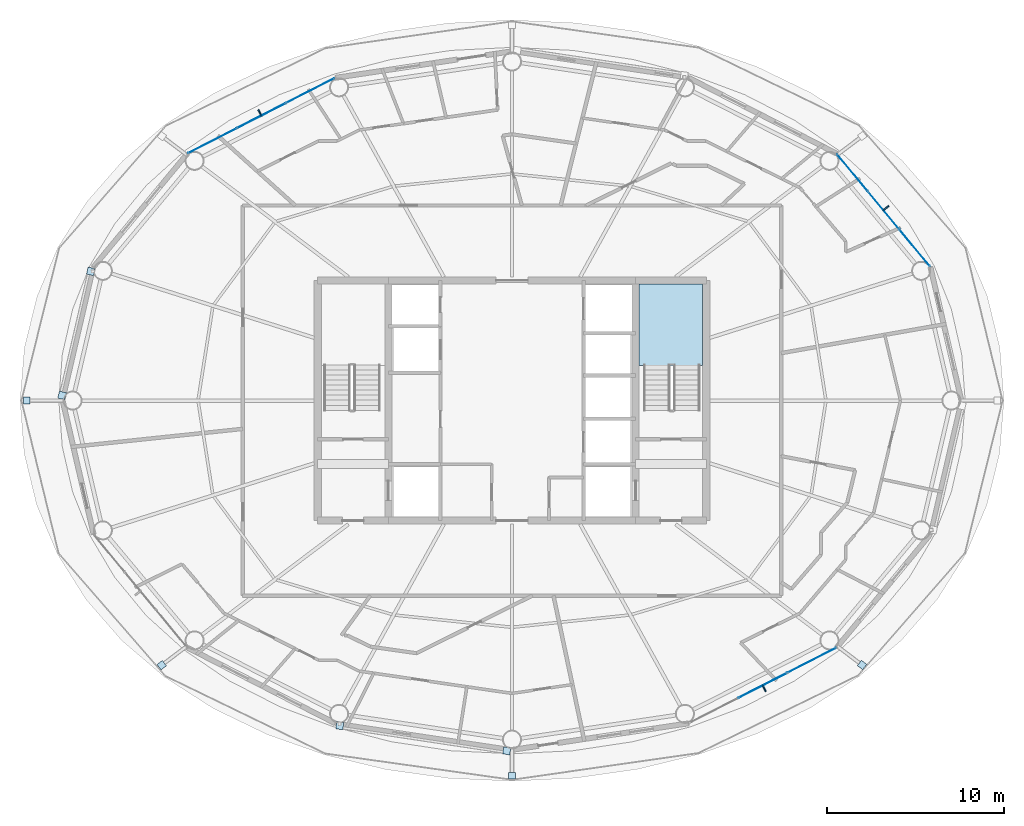
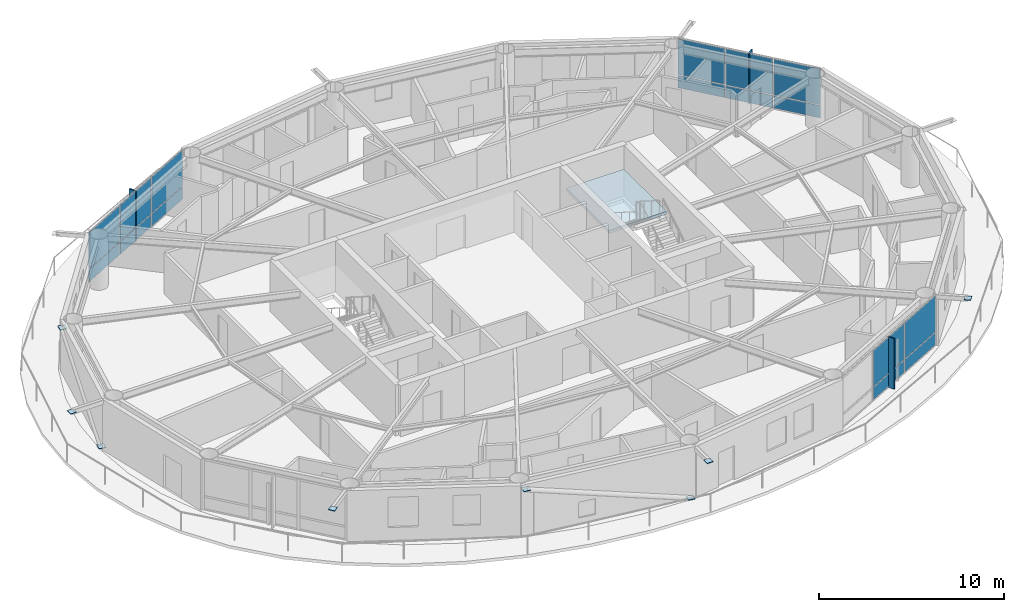
# One storey, part 14 of 23: 27 plates, 1 slab, 4 elements without a shape of their own.
"""IFC4 building model written with IfcOpenShell, lengths in metres."""

from ifc_helpers import new_model, si_unit, direction, frame, origin, origin_2d, place, context, subcontext, project, spatial, polyline, rectangle, outline, extrude, material, layer, layer_set, type_object, element, aggregate, save


model = new_model("IFC4")

# Units and contexts
model_context = context("Model", 3, precision=1e-05, world=origin(), true_north=direction((0.0, 1.0)))
body_context = subcontext(model_context, "Body", "Model", "MODEL_VIEW")
ifc_project = project(units=[si_unit("LENGTHUNIT", "METRE"), si_unit("AREAUNIT", "SQUARE_METRE"), si_unit("VOLUMEUNIT", "CUBIC_METRE"), si_unit("PLANEANGLEUNIT", "RADIAN"), si_unit("MASSUNIT", "GRAM", prefix="KILO")], contexts=[model_context])

# Site, building, storey
site_placement = place(None, origin())
site = spatial("IfcSite", under=ifc_project, at=site_placement, CompositionType="ELEMENT")
building_placement = place(site_placement, origin())
building = spatial("IfcBuilding", under=site, at=building_placement, Name="Sarneth Arch Tower", CompositionType="ELEMENT")
storey_placement = place(building_placement, frame((0.0, 0.0, 246.0)))
storey = spatial("IfcBuildingStorey", under=building, at=storey_placement, Name="L63", CompositionType="ELEMENT", Elevation=246.0)

# Curtain wall, plates
ifc_material_1 = material(Name="Anodised aluminium Type AA25 and solar-control low-e laminated IGU", Category="aluminium")
ifc_layer_1 = layer(ifc_material_1, 0.179931640625)
ifc_layer_set_1 = layer_set([ifc_layer_1], Name="Anodised aluminium Type AA25 and solar-control low-e laminated IGU")
curtain_wall_type = type_object("IfcCurtainWallType", Name="CW-RES-HIGH", PredefinedType="NOTDEFINED", material=ifc_layer_set_1)
curtain_wall_1_placement = place(storey_placement, origin())
curtain_wall_1 = element("IfcCurtainWall", 1, at=curtain_wall_1_placement, inside=storey, type_object=curtain_wall_type, Name="L63 Unitised curtain wall facet 02", PredefinedType="NOTDEFINED")
ifc_material_2 = material(Name="Solar-control low-e laminated IGU", Category="glass")
ifc_layer_2 = layer(ifc_material_2, 0.028076171875)
ifc_layer_set_2 = layer_set([ifc_layer_2], Name="Solar-control low-e laminated IGU")
plate_type_1 = type_object("IfcPlateType", Name="CW-PANEL", PredefinedType="CURTAIN_PANEL", material=ifc_layer_set_2)
plate_1_placement = place(storey_placement, frame((70.799072265625, 50.650634765625, 0.06005859375), z_axis=(0.0, 0.0, 1.0), x_axis=(-0.637610094184, 0.770359245933, 0.0)))
plate_1 = element("IfcPlate", 2, at=plate_1_placement, type_object=plate_type_1, Name="Curtain wall glazed vision pane CW-L63-F02/P00-00", PredefinedType="CURTAIN_PANEL", context=body_context, shape_type="SweptSolid", body=[
    extrude(rectangle(XDim=2.686767578125, YDim=0.028076171875, at=origin_2d()), origin(), (0.0, 0.0, 1.0), 0.81005859375),
])
plate_2_placement = place(storey_placement, frame((70.799072265625, 50.650634765625, 0.929931640625), z_axis=(0.0, 0.0, 1.0), x_axis=(-0.637610094184, 0.770359245933, 0.0)))
plate_2 = element("IfcPlate", 3, at=plate_2_placement, type_object=plate_type_1, Name="Curtain wall glazed vision pane CW-L63-F02/P00-01", PredefinedType="CURTAIN_PANEL", context=body_context, shape_type="SweptSolid", body=[
    extrude(rectangle(XDim=2.686767578125, YDim=0.028076171875, at=origin_2d()), origin(), (0.0, 0.0, 1.0), 2.3701171875),
])
plate_3_placement = place(storey_placement, frame((69.0380859375, 52.778076171875, 0.06005859375), z_axis=(0.0, 0.0, 1.0), x_axis=(-0.637610094184, 0.770359245933, 0.0)))
plate_3 = element("IfcPlate", 4, at=plate_3_placement, type_object=plate_type_1, Name="Curtain wall glazed vision pane CW-L63-F02/P01-00", PredefinedType="CURTAIN_PANEL", context=body_context, shape_type="SweptSolid", body=[
    extrude(rectangle(XDim=2.716552734375, YDim=0.028076171875, at=origin_2d()), origin(), (0.0, 0.0, 1.0), 0.81005859375),
])
plate_4_placement = place(storey_placement, frame((69.0380859375, 52.778076171875, 0.929931640625), z_axis=(0.0, 0.0, 1.0), x_axis=(-0.637610094184, 0.770359245933, 0.0)))
plate_4 = element("IfcPlate", 5, at=plate_4_placement, type_object=plate_type_1, Name="Curtain wall glazed vision pane CW-L63-F02/P01-01", PredefinedType="CURTAIN_PANEL", context=body_context, shape_type="SweptSolid", body=[
    extrude(rectangle(XDim=2.716552734375, YDim=0.028076171875, at=origin_2d()), origin(), (0.0, 0.0, 1.0), 2.3701171875),
])
plate_5_placement = place(storey_placement, frame((67.27734375, 54.905517578125, 0.06005859375), z_axis=(0.0, 0.0, 1.0), x_axis=(-0.637610094184, 0.770359245933, 0.0)))
plate_5 = element("IfcPlate", 6, at=plate_5_placement, type_object=plate_type_1, Name="Curtain wall glazed vision pane CW-L63-F02/P02-00", PredefinedType="CURTAIN_PANEL", context=body_context, shape_type="SweptSolid", body=[
    extrude(rectangle(XDim=2.686767578125, YDim=0.028076171875, at=origin_2d()), origin(), (0.0, 0.0, 1.0), 0.81005859375),
])
plate_6_placement = place(storey_placement, frame((67.27734375, 54.905517578125, 0.929931640625), z_axis=(0.0, 0.0, 1.0), x_axis=(-0.637610094184, 0.770359245933, 0.0)))
plate_6 = element("IfcPlate", 7, at=plate_6_placement, type_object=plate_type_1, Name="Curtain wall glazed vision pane CW-L63-F02/P02-01", PredefinedType="CURTAIN_PANEL", context=body_context, shape_type="SweptSolid", body=[
    extrude(rectangle(XDim=2.686767578125, YDim=0.028076171875, at=origin_2d()), origin(), (0.0, 0.0, 1.0), 2.3701171875),
])
aggregate(curtain_wall_1, [plate_1, plate_2, plate_3, plate_4, plate_5, plate_6])

curtain_wall_2_placement = place(storey_placement, origin())
curtain_wall_2 = element("IfcCurtainWall", 8, at=curtain_wall_2_placement, inside=storey, type_object=curtain_wall_type, Name="L63 Unitised curtain wall facet 06", PredefinedType="NOTDEFINED")
plate_7_placement = place(storey_placement, frame((36.5791015625, 59.552978515625, 0.06005859375), z_axis=(0.0, 0.0, 1.0), x_axis=(-0.890009540525, -0.455941901753, 0.0)))
plate_7 = element("IfcPlate", 9, at=plate_7_placement, type_object=plate_type_1, Name="Curtain wall glazed vision pane CW-L63-F06/P00-00", PredefinedType="CURTAIN_PANEL", context=body_context, shape_type="SweptSolid", body=[
    extrude(rectangle(XDim=3.044677734375, YDim=0.028076171875, at=origin_2d()), origin(), (0.0, 0.0, 1.0), 0.81005859375),
])
plate_8_placement = place(storey_placement, frame((36.5791015625, 59.552978515625, 0.929931640625), z_axis=(0.0, 0.0, 1.0), x_axis=(-0.890009540525, -0.455941901753, 0.0)))
plate_8 = element("IfcPlate", 10, at=plate_8_placement, type_object=plate_type_1, Name="Curtain wall glazed vision pane CW-L63-F06/P00-01", PredefinedType="CURTAIN_PANEL", context=body_context, shape_type="SweptSolid", body=[
    extrude(rectangle(XDim=3.044677734375, YDim=0.028076171875, at=origin_2d()), origin(), (0.0, 0.0, 1.0), 2.3701171875),
])
plate_9_placement = place(storey_placement, frame((33.802490234375, 58.13037109375, 0.06005859375), z_axis=(0.0, 0.0, 1.0), x_axis=(-0.890009540525, -0.455941901753, 0.0)))
plate_9 = element("IfcPlate", 11, at=plate_9_placement, type_object=plate_type_1, Name="Curtain wall glazed vision pane CW-L63-F06/P01-00", PredefinedType="CURTAIN_PANEL", context=body_context, shape_type="SweptSolid", body=[
    extrude(rectangle(XDim=3.07470703125, YDim=0.028076171875, at=origin_2d()), origin(), (0.0, 0.0, 1.0), 0.81005859375),
])
plate_10_placement = place(storey_placement, frame((33.802490234375, 58.13037109375, 0.929931640625), z_axis=(0.0, 0.0, 1.0), x_axis=(-0.890009540525, -0.455941901753, 0.0)))
plate_10 = element("IfcPlate", 12, at=plate_10_placement, type_object=plate_type_1, Name="Curtain wall glazed vision pane CW-L63-F06/P01-01", PredefinedType="CURTAIN_PANEL", context=body_context, shape_type="SweptSolid", body=[
    extrude(rectangle(XDim=3.07470703125, YDim=0.028076171875, at=origin_2d()), origin(), (0.0, 0.0, 1.0), 2.3701171875),
])
plate_11_placement = place(storey_placement, frame((31.02587890625, 56.7080078125, 0.06005859375), z_axis=(0.0, 0.0, 1.0), x_axis=(-0.890009540525, -0.455941901753, 0.0)))
plate_11 = element("IfcPlate", 13, at=plate_11_placement, type_object=plate_type_1, Name="Curtain wall glazed vision pane CW-L63-F06/P02-00", PredefinedType="CURTAIN_PANEL", context=body_context, shape_type="SweptSolid", body=[
    extrude(rectangle(XDim=3.044677734375, YDim=0.028076171875, at=origin_2d()), origin(), (0.0, 0.0, 1.0), 0.81005859375),
])
plate_12_placement = place(storey_placement, frame((31.02587890625, 56.7080078125, 0.929931640625), z_axis=(0.0, 0.0, 1.0), x_axis=(-0.890009540525, -0.455941901753, 0.0)))
plate_12 = element("IfcPlate", 14, at=plate_12_placement, type_object=plate_type_1, Name="Curtain wall glazed vision pane CW-L63-F06/P02-01", PredefinedType="CURTAIN_PANEL", context=body_context, shape_type="SweptSolid", body=[
    extrude(rectangle(XDim=3.044677734375, YDim=0.028076171875, at=origin_2d()), origin(), (0.0, 0.0, 1.0), 2.3701171875),
])
aggregate(curtain_wall_2, [plate_7, plate_8, plate_9, plate_10, plate_11, plate_12])

curtain_wall_3_placement = place(storey_placement, origin())
curtain_wall_3 = element("IfcCurtainWall", 15, at=curtain_wall_3_placement, inside=storey, type_object=curtain_wall_type, Name="L63 Unitised curtain wall facet 14", PredefinedType="NOTDEFINED")
plate_13_placement = place(storey_placement, frame((62.197509765625, 25.86962890625, 0.06005859375), z_axis=(0.0, 0.0, 1.0), x_axis=(0.890009540525, 0.455941901753, 0.0)))
plate_13 = element("IfcPlate", 16, at=plate_13_placement, type_object=plate_type_1, Name="Curtain wall glazed vision pane CW-L63-F14/P01-00", PredefinedType="CURTAIN_PANEL", context=body_context, shape_type="SweptSolid", body=[
    extrude(rectangle(XDim=3.07470703125, YDim=0.028076171875, at=origin_2d()), origin(), (0.0, 0.0, 1.0), 0.81005859375),
])
plate_14_placement = place(storey_placement, frame((62.197509765625, 25.86962890625, 0.929931640625), z_axis=(0.0, 0.0, 1.0), x_axis=(0.890009540525, 0.455941901753, 0.0)))
plate_14 = element("IfcPlate", 17, at=plate_14_placement, type_object=plate_type_1, Name="Curtain wall glazed vision pane CW-L63-F14/P01-01", PredefinedType="CURTAIN_PANEL", context=body_context, shape_type="SweptSolid", body=[
    extrude(rectangle(XDim=3.07470703125, YDim=0.028076171875, at=origin_2d()), origin(), (0.0, 0.0, 1.0), 2.3701171875),
])
plate_15_placement = place(storey_placement, frame((64.97412109375, 27.2919921875, 0.06005859375), z_axis=(0.0, 0.0, 1.0), x_axis=(0.890009540525, 0.455941901753, 0.0)))
plate_15 = element("IfcPlate", 18, at=plate_15_placement, type_object=plate_type_1, Name="Curtain wall glazed vision pane CW-L63-F14/P02-00", PredefinedType="CURTAIN_PANEL", context=body_context, shape_type="SweptSolid", body=[
    extrude(rectangle(XDim=3.044677734375, YDim=0.028076171875, at=origin_2d()), origin(), (0.0, 0.0, 1.0), 0.81005859375),
])
plate_16_placement = place(storey_placement, frame((64.97412109375, 27.2919921875, 0.929931640625), z_axis=(0.0, 0.0, 1.0), x_axis=(0.890009540525, 0.455941901753, 0.0)))
plate_16 = element("IfcPlate", 19, at=plate_16_placement, type_object=plate_type_1, Name="Curtain wall glazed vision pane CW-L63-F14/P02-01", PredefinedType="CURTAIN_PANEL", context=body_context, shape_type="SweptSolid", body=[
    extrude(rectangle(XDim=3.044677734375, YDim=0.028076171875, at=origin_2d()), origin(), (0.0, 0.0, 1.0), 2.3701171875),
])
aggregate(curtain_wall_3, [plate_13, plate_14, plate_15, plate_16])

# Plates
ifc_material_3 = material(Name="Steel S355", Category="steel")
ifc_layer_3 = layer(ifc_material_3, 0.035888671875)
ifc_layer_set_3 = layer_set([ifc_layer_3], Name="Steel S355")
plate_type_2 = type_object("IfcPlateType", Name="PLT-GUSSET-30", PredefinedType="SHEET", material=ifc_layer_set_3)
for number, where, z_axis, x_axis, name in (
    (20, (22.5234375, 42.292236328125, 0.001953125), (0.0, 0.0, 1.0), (-0.225461202458, -0.974252147129, 0.0), "Steel end cap plate GP-1"),
    (21, (24.148193359375, 49.3154296875, 3.0185546875), (0.0, 0.0, 1.0), (-0.225461202458, -0.974252147129, 0.0), "Steel end cap plate GP-1"),
):
    element("IfcPlate", number, at=place(storey_placement, frame(where, z_axis=z_axis, x_axis=x_axis)), inside=storey, type_object=plate_type_2, Name=name, PredefinedType="SHEET", context=body_context, shape_type="SweptSolid", body=[
        extrude(rectangle(XDim=0.404052734375, YDim=0.404052734375, at=origin_2d()), origin(), (0.0, 0.0, 1.0), 0.035888671875),
    ])
for number, where, z_axis, x_axis, name in (
    (22, (20.51708984375, 42.0, 3.18212890625), (0.0, 0.0, 1.0), (-1.0, 0.0, 0.0), "Steel end cap plate GP-1"),
    (23, (28.161865234375, 27.0166015625, 3.18212890625), (0.0, 0.0, 1.0), (-0.798004853043, -0.602651022168, 0.0), "Steel end cap plate GP-1"),
):
    element("IfcPlate", number, at=place(storey_placement, frame(where, z_axis=z_axis, x_axis=x_axis)), inside=storey, type_object=plate_type_2, Name=name, PredefinedType="SHEET", context=body_context, shape_type="SweptSolid", body=[
        extrude(rectangle(XDim=0.3798828125, YDim=0.3798828125, at=origin_2d()), origin(), (0.0, 0.0, 1.0), 0.035888671875),
    ])
for number, where, z_axis, x_axis, name in (
    (24, (47.703369140625, 22.16455078125, 0.001953125), (0.0, 0.0, 1.0), (0.988860535448, -0.148845024885, 0.0), "Steel end cap plate GP-1"),
    (25, (38.245849609375, 23.588623046875, 3.0185546875), (0.0, 0.0, 1.0), (0.988860535448, -0.148845024885, 0.0), "Steel end cap plate GP-1"),
):
    element("IfcPlate", number, at=place(storey_placement, frame(where, z_axis=z_axis, x_axis=x_axis)), inside=storey, type_object=plate_type_2, Name=name, PredefinedType="SHEET", context=body_context, shape_type="SweptSolid", body=[
        extrude(rectangle(XDim=0.404052734375, YDim=0.404052734375, at=origin_2d()), origin(), (0.0, 0.0, 1.0), 0.035888671875),
    ])
for number, where, z_axis, x_axis, name in (
    (26, (48.0, 20.749755859375, 3.18212890625), (0.0, 0.0, 1.0), (0.0, -1.0, 0.0), "Steel end cap plate GP-1"),
    (27, (67.82275390625, 27.028076171875, 3.18212890625), (0.0, 0.0, 1.0), (0.798004853043, -0.602651022168, 0.0), "Steel end cap plate GP-1"),
):
    element("IfcPlate", number, at=place(storey_placement, frame(where, z_axis=z_axis, x_axis=x_axis)), inside=storey, type_object=plate_type_2, Name=name, PredefinedType="SHEET", context=body_context, shape_type="SweptSolid", body=[
        extrude(rectangle(XDim=0.3798828125, YDim=0.3798828125, at=origin_2d()), origin(), (0.0, 0.0, 1.0), 0.035888671875),
    ])
ifc_material_4 = material(Name="Extruded glazed terracotta baguette fin on Aluminium 6063-T6 carrier", Category="masonry")
ifc_layer_4 = layer(ifc_material_4, 0.080078125)
ifc_layer_set_4 = layer_set([ifc_layer_4], Name="Extruded glazed terracotta baguette fin on Aluminium 6063-T6 carrier")
plate_type_3 = type_object("IfcPlateType", Name="SHADE-TERRA-FIN", PredefinedType="SHEET", material=ifc_layer_set_4)
for number, where, z_axis, x_axis, name in (
    (28, (69.169189453125, 52.886474609375, 0.009765625), (0.0, 0.0, 1.0), (0.770401979567, 0.63755845997, 0.0), "L63 Terracotta vertical shading fin 02"),
    (29, (33.724853515625, 58.28173828125, 0.009765625), (0.0, 0.0, 1.0), (-0.456010959102, 0.889974159838, 0.0), "L63 Terracotta vertical shading fin 06"),
    (30, (62.275146484375, 25.71826171875, 0.009765625), (0.0, 0.0, 1.0), (0.456010959102, -0.889974159838, 0.0), "L63 Terracotta vertical shading fin 14"),
):
    element("IfcPlate", number, at=place(storey_placement, frame(where, z_axis=z_axis, x_axis=x_axis)), inside=storey, type_object=plate_type_3, Name=name, PredefinedType="SHEET", context=body_context, shape_type="SweptSolid", body=[
        extrude(rectangle(XDim=0.419921875, YDim=0.080078125, at=origin_2d()), origin(), (0.0, 0.0, 1.0), 3.340087890625),
    ])

# Stair, slab
ifc_material_5 = material(Name="Concrete C50/60", Category="concrete")
stair_type = type_object("IfcStairType", Name="STAIR-CORE-RC", PredefinedType="HALF_TURN_STAIR", material=ifc_material_5)
stair_placement = place(storey_placement, origin())
stair = element("IfcStair", 31, at=stair_placement, inside=storey, type_object=stair_type, Name="L63 Core Exit Stair 2", PredefinedType="HALF_TURN_STAIR")
ifc_material_6 = material(Name="Concrete C50/60", Category="concrete")
ifc_layer_5 = layer(ifc_material_6, 0.199951171875)
ifc_layer_set_5 = layer_set([ifc_layer_5], Name="Concrete C50/60")
slab_type = type_object("IfcSlabType", Name="SLAB-LANDING-200", PredefinedType="LANDING", material=ifc_layer_set_5)
slab_placement = place(storey_placement, frame((0.0, 0.0, 1.60009765625)))
slab = element("IfcSlab", 32, at=slab_placement, type_object=slab_type, Name="ST-2 landing 1", PredefinedType="LANDING", context=body_context, shape_type="SweptSolid", body=[
    extrude(outline(polyline([(55.199951171875, 43.985107421875), (58.800048828125, 43.985107421875), (58.800048828125, 48.60009765625), (55.199951171875, 48.60009765625), (55.199951171875, 43.985107421875)])), origin(), (0.0, 0.0, 1.0), 0.199951171875),
])
aggregate(stair, [slab])

save(model, "model.ifc")
